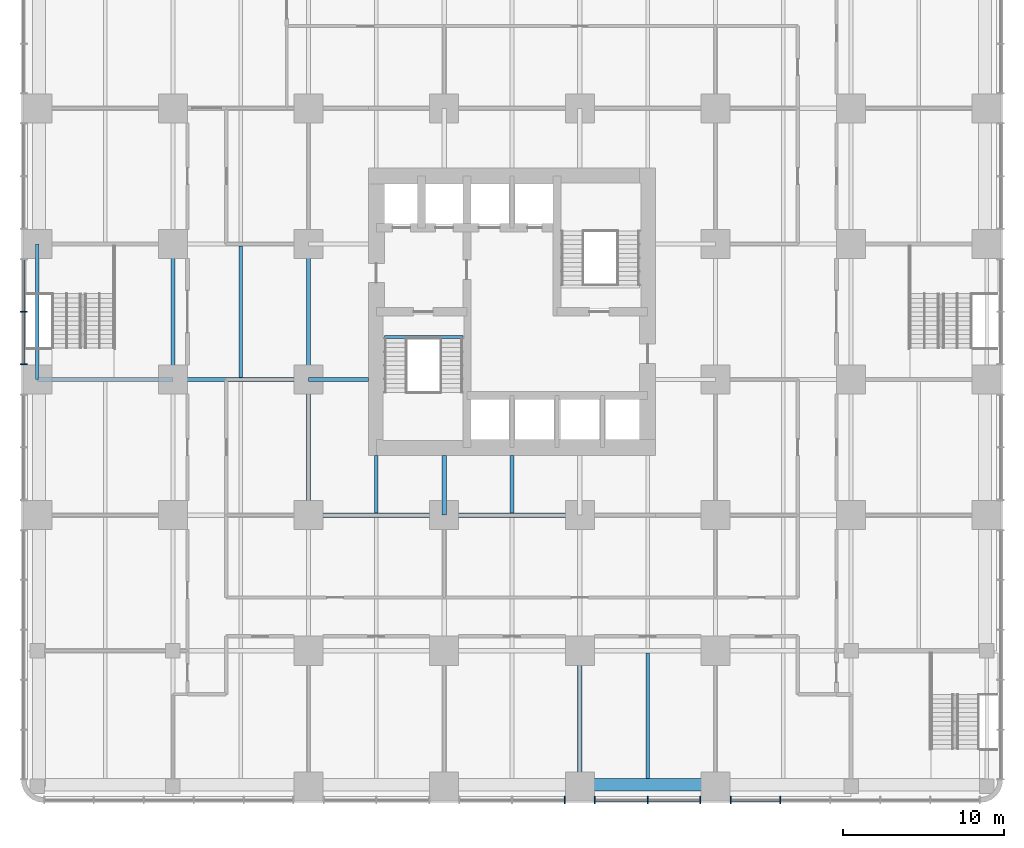
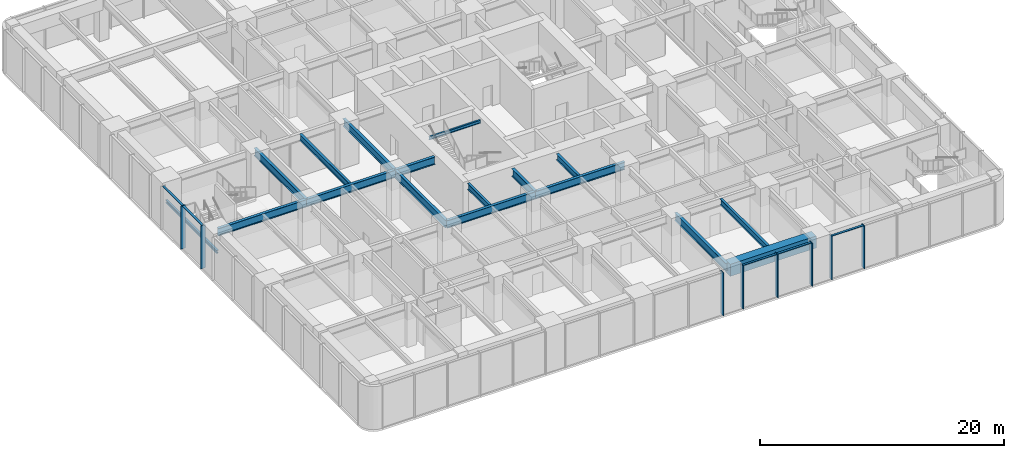
# One storey, part 3 of 17: 17 beams, 13 members, 2 elements without a shape of their own.
"""IFC4 building model written with IfcOpenShell, lengths in metres."""

from ifc_helpers import new_model, si_unit, direction, frame, origin, origin_2d, place, context, subcontext, project, spatial, rectangle, i_section, extrude, material, material_profile, profile_set, type_object, element, aggregate, save


model = new_model("IFC4")

# Units and contexts
model_context = context("Model", 3, precision=1e-05, world=origin(), true_north=direction((0.0, 1.0)))
body_context = subcontext(model_context, "Body", "Model", "MODEL_VIEW")
ifc_project = project(units=[si_unit("LENGTHUNIT", "METRE"), si_unit("AREAUNIT", "SQUARE_METRE"), si_unit("VOLUMEUNIT", "CUBIC_METRE"), si_unit("PLANEANGLEUNIT", "RADIAN"), si_unit("MASSUNIT", "GRAM", prefix="KILO")], contexts=[model_context])

# Site, building, storey
site_placement = place(None, origin())
site = spatial("IfcSite", under=ifc_project, at=site_placement, CompositionType="ELEMENT")
building_placement = place(site_placement, origin())
building = spatial("IfcBuilding", under=site, at=building_placement, Name="Torre Alcanfor", CompositionType="ELEMENT")
storey_placement = place(building_placement, frame((0.0, 0.0, 19.5)))
storey = spatial("IfcBuildingStorey", under=building, at=storey_placement, Name="L04", CompositionType="ELEMENT", Elevation=19.5)

# Curtain wall, members
ifc_material_1 = material(Name="Aluminium and glass", Category="aluminium")
curtain_wall_type = type_object("IfcCurtainWallType", Name="CW-B unitised classroom glazing with vertical FIN", PredefinedType="NOTDEFINED", material=ifc_material_1)
curtain_wall_1_placement = place(storey_placement, origin())
curtain_wall_1 = element("IfcCurtainWall", 1, at=curtain_wall_1_placement, inside=storey, type_object=curtain_wall_type, Name="Curtain wall CW-B L04 3", PredefinedType="NOTDEFINED")
ifc_material_2 = material(Name="Bronze anodised aluminium", Category="aluminium")
ifc_material_profile_1 = material_profile(ifc_material_2, rectangle(XDim=0.449951171875, YDim=0.06494140625, at=origin_2d()), Name="CW-B mullion 65x450")
ifc_profile_set_1 = profile_set([ifc_material_profile_1], Name="Bronze anodised aluminium")
member_type_1 = type_object("IfcMemberType", Name="CW-B mullion with vertical FIN 65x450", PredefinedType="MULLION", material=ifc_profile_set_1)
member_1_placement = place(storey_placement, frame((-0.85009765625, 29.39990234375, 0.0), z_axis=(0.0, 0.0, 1.0), x_axis=(1.0, 0.0, 0.0)))
member_1 = element("IfcMember", 2, at=member_1_placement, type_object=member_type_1, Name="CW-B mullion 3.2", PredefinedType="MULLION", context=body_context, shape_type="SweptSolid", body=[
    extrude(rectangle(XDim=0.449951171875, YDim=0.06494140625, at=origin_2d()), origin(), (0.0, 0.0, 1.0), 4.300048828125),
])
member_2_placement = place(storey_placement, frame((-0.85009765625, 26.137451171875, 0.0), z_axis=(0.0, 0.0, 1.0), x_axis=(1.0, 0.0, 0.0)))
member_2 = element("IfcMember", 3, at=member_2_placement, type_object=member_type_1, Name="CW-B mullion 3.3", PredefinedType="MULLION", context=body_context, shape_type="SweptSolid", body=[
    extrude(rectangle(XDim=0.449951171875, YDim=0.06494140625, at=origin_2d()), origin(), (0.0, 0.0, 1.0), 4.300048828125),
])

curtain_wall_2_placement = place(storey_placement, origin())
curtain_wall_2 = element("IfcCurtainWall", 4, at=curtain_wall_2_placement, inside=storey, type_object=curtain_wall_type, Name="Curtain wall CW-B L04 4", PredefinedType="NOTDEFINED")
member_3_placement = place(storey_placement, frame((32.66259765625, -0.85009765625, 0.0), z_axis=(0.0, 0.0, 1.0), x_axis=(0.0, 1.0, 0.0)))
member_3 = element("IfcMember", 5, at=member_3_placement, type_object=member_type_1, Name="CW-B mullion 3.3", PredefinedType="MULLION", context=body_context, shape_type="SweptSolid", body=[
    extrude(rectangle(XDim=0.449951171875, YDim=0.06494140625, at=origin_2d()), origin(), (0.0, 0.0, 1.0), 4.300048828125),
])
member_4_placement = place(storey_placement, frame((34.53759765625, -0.85009765625, 0.0), z_axis=(0.0, 0.0, 1.0), x_axis=(0.0, 1.0, 0.0)))
member_4 = element("IfcMember", 6, at=member_4_placement, type_object=member_type_1, Name="CW-B mullion 4.1", PredefinedType="MULLION", context=body_context, shape_type="SweptSolid", body=[
    extrude(rectangle(XDim=0.449951171875, YDim=0.06494140625, at=origin_2d()), origin(), (0.0, 0.0, 1.0), 4.300048828125),
])
member_5_placement = place(storey_placement, frame((37.800048828125, -0.85009765625, 0.0), z_axis=(0.0, 0.0, 1.0), x_axis=(0.0, 1.0, 0.0)))
member_5 = element("IfcMember", 7, at=member_5_placement, type_object=member_type_1, Name="CW-B mullion 4.2", PredefinedType="MULLION", context=body_context, shape_type="SweptSolid", body=[
    extrude(rectangle(XDim=0.449951171875, YDim=0.06494140625, at=origin_2d()), origin(), (0.0, 0.0, 1.0), 4.300048828125),
])
member_6_placement = place(storey_placement, frame((41.0625, -0.85009765625, 0.0), z_axis=(0.0, 0.0, 1.0), x_axis=(0.0, 1.0, 0.0)))
member_6 = element("IfcMember", 8, at=member_6_placement, type_object=member_type_1, Name="CW-B mullion 4.3", PredefinedType="MULLION", context=body_context, shape_type="SweptSolid", body=[
    extrude(rectangle(XDim=0.449951171875, YDim=0.06494140625, at=origin_2d()), origin(), (0.0, 0.0, 1.0), 4.300048828125),
])
member_7_placement = place(storey_placement, frame((42.9375, -0.85009765625, 0.0), z_axis=(0.0, 0.0, 1.0), x_axis=(0.0, 1.0, 0.0)))
member_7 = element("IfcMember", 9, at=member_7_placement, type_object=member_type_1, Name="CW-B mullion 5.1", PredefinedType="MULLION", context=body_context, shape_type="SweptSolid", body=[
    extrude(rectangle(XDim=0.449951171875, YDim=0.06494140625, at=origin_2d()), origin(), (0.0, 0.0, 1.0), 4.300048828125),
])
member_8_placement = place(storey_placement, frame((46.00390625, -0.85009765625, 0.0), z_axis=(0.0, 0.0, 1.0), x_axis=(0.0, 1.0, 0.0)))
member_8 = element("IfcMember", 10, at=member_8_placement, type_object=member_type_1, Name="CW-B mullion 5.2", PredefinedType="MULLION", context=body_context, shape_type="SweptSolid", body=[
    extrude(rectangle(XDim=0.449951171875, YDim=0.06494140625, at=origin_2d()), origin(), (0.0, 0.0, 1.0), 4.300048828125),
])

# Member
ifc_material_3 = material(Name="Extruded aluminium", Category="aluminium")
ifc_material_profile_2 = material_profile(ifc_material_3, rectangle(XDim=0.199951171875, YDim=0.06494140625, at=origin_2d()), Name="CW-B transom 200x65")
ifc_profile_set_2 = profile_set([ifc_material_profile_2], Name="Extruded aluminium")
member_type_2 = type_object("IfcMemberType", Name="CW-B transom 65x200", PredefinedType="USERDEFINED", material=ifc_profile_set_2)
member_9_placement = place(storey_placement, frame((-0.85009765625, 32.6298828125, 4.267578125), z_axis=(0.0, -1.0, 0.0), x_axis=(1.0, 0.0, 0.0)))
member_9 = element("IfcMember", 11, at=member_9_placement, type_object=member_type_2, Name="CW-B transom 3.1.2", ObjectType="TRANSOM", PredefinedType="USERDEFINED", context=body_context, shape_type="SweptSolid", body=[
    extrude(rectangle(XDim=0.199951171875, YDim=0.06494140625, at=origin_2d()), origin(), (0.0, 0.0, 1.0), 3.197265625),
])

member_10_placement = place(storey_placement, frame((-0.85009765625, 29.367431640625, 4.267578125), z_axis=(0.0, -1.0, 0.0), x_axis=(1.0, 0.0, 0.0)))
member_10 = element("IfcMember", 12, at=member_10_placement, type_object=member_type_2, Name="CW-B transom 3.2.2", ObjectType="TRANSOM", PredefinedType="USERDEFINED", context=body_context, shape_type="SweptSolid", body=[
    extrude(rectangle(XDim=0.199951171875, YDim=0.06494140625, at=origin_2d()), origin(), (0.0, 0.0, 1.0), 3.197509765625),
])

aggregate(curtain_wall_1, [member_1, member_2, member_9, member_10])

member_11_placement = place(storey_placement, frame((34.570068359375, -0.85009765625, 4.267578125), z_axis=(1.0, 0.0, 0.0), x_axis=(0.0, 1.0, 0.0)))
member_11 = element("IfcMember", 13, at=member_11_placement, type_object=member_type_2, Name="CW-B transom 4.1.2", ObjectType="TRANSOM", PredefinedType="USERDEFINED", context=body_context, shape_type="SweptSolid", body=[
    extrude(rectangle(XDim=0.199951171875, YDim=0.06494140625, at=origin_2d()), origin(), (0.0, 0.0, 1.0), 3.197509765625),
])

member_12_placement = place(storey_placement, frame((37.83251953125, -0.85009765625, 4.267578125), z_axis=(1.0, 0.0, 0.0), x_axis=(0.0, 1.0, 0.0)))
member_12 = element("IfcMember", 14, at=member_12_placement, type_object=member_type_2, Name="CW-B transom 4.2.2", ObjectType="TRANSOM", PredefinedType="USERDEFINED", context=body_context, shape_type="SweptSolid", body=[
    extrude(rectangle(XDim=0.199951171875, YDim=0.06494140625, at=origin_2d()), origin(), (0.0, 0.0, 1.0), 3.197509765625),
])

member_13_placement = place(storey_placement, frame((42.969970703125, -0.85009765625, 4.267578125), z_axis=(1.0, 0.0, 0.0), x_axis=(0.0, 1.0, 0.0)))
member_13 = element("IfcMember", 15, at=member_13_placement, type_object=member_type_2, Name="CW-B transom 5.1.2", ObjectType="TRANSOM", PredefinedType="USERDEFINED", context=body_context, shape_type="SweptSolid", body=[
    extrude(rectangle(XDim=0.199951171875, YDim=0.06494140625, at=origin_2d()), origin(), (0.0, 0.0, 1.0), 3.00146484375),
])

aggregate(curtain_wall_2, [member_3, member_4, member_5, member_6, member_11, member_12, member_7, member_8, member_13])

# Beams
ifc_material_4 = material(Name="Steel ASTM A992 Grade 50", Category="steel")
ifc_material_profile_3 = material_profile(ifc_material_4, i_section(OverallWidth=0.2666015625, OverallDepth=0.7568359375, WebThickness=0.013916015625, FlangeThickness=0.019287109375, at=origin_2d()), Name="W30x108")
ifc_profile_set_3 = profile_set([ifc_material_profile_3], Name="Steel ASTM A992 Grade 50")
beam_type_1 = type_object("IfcBeamType", Name="Girder W30x108", PredefinedType="BEAM", material=ifc_profile_set_3)
beam_1_placement = place(storey_placement, frame((16.800048828125, 16.800048828125, 3.921630859375), z_axis=(1.0, 0.0, 0.0), x_axis=(0.0, 1.0, 0.0)))
element("IfcBeam", 16, at=beam_1_placement, inside=storey, type_object=beam_type_1, Name="Beam 3E-4E under L05", PredefinedType="BEAM", context=body_context, shape_type="SweptSolid", body=[
    extrude(i_section(OverallWidth=0.2666015625, OverallDepth=0.7568359375, WebThickness=0.013916015625, FlangeThickness=0.019287109375, at=origin_2d()), origin(), (0.0, 0.0, 1.0), 8.39990234375),
])
beam_2_placement = place(storey_placement, frame((25.199951171875, 16.800048828125, 3.921630859375), z_axis=(1.0, 0.0, 0.0), x_axis=(0.0, 1.0, 0.0)))
element("IfcBeam", 17, at=beam_2_placement, inside=storey, type_object=beam_type_1, Name="Beam 4E-5E under L05", PredefinedType="BEAM", context=body_context, shape_type="SweptSolid", body=[
    extrude(i_section(OverallWidth=0.2666015625, OverallDepth=0.7568359375, WebThickness=0.013916015625, FlangeThickness=0.019287109375, at=origin_2d()), origin(), (0.0, 0.0, 1.0), 8.400146484375),
])
beam_3_placement = place(storey_placement, frame((0.0, 25.199951171875, 3.921630859375), z_axis=(1.0, 0.0, 0.0), x_axis=(0.0, 1.0, 0.0)))
element("IfcBeam", 18, at=beam_3_placement, inside=storey, type_object=beam_type_1, Name="Beam 1F-2F under L05", PredefinedType="BEAM", context=body_context, shape_type="SweptSolid", body=[
    extrude(i_section(OverallWidth=0.2666015625, OverallDepth=0.7568359375, WebThickness=0.013916015625, FlangeThickness=0.019287109375, at=origin_2d()), origin(), (0.0, 0.0, 1.0), 8.39990234375),
])
for number, where, z_axis, x_axis, name in (
    (19, (8.39990234375, 25.199951171875, 3.921630859375), (1.0, 0.0, 0.0), (0.0, 1.0, 0.0), "Beam 2F-3F under L05"),
    (20, (8.39990234375, 25.199951171875, 3.921630859375), (0.0, 1.0, 0.0), (-1.0, 0.0, 0.0), "Beam 2F-2G under L05"),
):
    element("IfcBeam", number, at=place(storey_placement, frame(where, z_axis=z_axis, x_axis=x_axis)), inside=storey, type_object=beam_type_1, Name=name, PredefinedType="BEAM", context=body_context, shape_type="SweptSolid", body=[
        extrude(i_section(OverallWidth=0.2666015625, OverallDepth=0.7568359375, WebThickness=0.013916015625, FlangeThickness=0.019287109375, at=origin_2d()), origin(), (0.0, 0.0, 1.0), 8.400146484375),
    ])
beam_4_placement = place(storey_placement, frame((16.800048828125, 16.800048828125, 3.921630859375), z_axis=(0.0, 1.0, 0.0), x_axis=(-1.0, 0.0, 0.0)))
element("IfcBeam", 21, at=beam_4_placement, inside=storey, type_object=beam_type_1, Name="Beam 3E-3F under L05", PredefinedType="BEAM", context=body_context, shape_type="SweptSolid", body=[
    extrude(i_section(OverallWidth=0.2666015625, OverallDepth=0.7568359375, WebThickness=0.013916015625, FlangeThickness=0.019287109375, at=origin_2d()), origin(), (0.0, 0.0, 1.0), 8.39990234375),
])
beam_5_placement = place(storey_placement, frame((16.800048828125, 25.199951171875, 3.921630859375), z_axis=(0.0, 1.0, 0.0), x_axis=(-1.0, 0.0, 0.0)))
element("IfcBeam", 22, at=beam_5_placement, inside=storey, type_object=beam_type_1, Name="Beam 3F-3G under L05", PredefinedType="BEAM", context=body_context, shape_type="SweptSolid", body=[
    extrude(i_section(OverallWidth=0.2666015625, OverallDepth=0.7568359375, WebThickness=0.013916015625, FlangeThickness=0.019287109375, at=origin_2d()), origin(), (0.0, 0.0, 1.0), 8.400146484375),
])
beam_6_placement = place(storey_placement, frame((33.60009765625, 0.0, 3.921630859375), z_axis=(0.0, 1.0, 0.0), x_axis=(-1.0, 0.0, 0.0)))
element("IfcBeam", 23, at=beam_6_placement, inside=storey, type_object=beam_type_1, Name="Beam 5C-5D under L05", PredefinedType="BEAM", context=body_context, shape_type="SweptSolid", body=[
    extrude(i_section(OverallWidth=0.2666015625, OverallDepth=0.7568359375, WebThickness=0.013916015625, FlangeThickness=0.019287109375, at=origin_2d()), origin(), (0.0, 0.0, 1.0), 8.39990234375),
])
ifc_material_5 = material(Name="Steel ASTM A992 Grade 50", Category="steel")
ifc_material_profile_4 = material_profile(ifc_material_5, i_section(OverallWidth=0.2666015625, OverallDepth=0.7568359375, WebThickness=0.013916015625, FlangeThickness=0.019287109375, at=origin_2d()), Name="W30x108")
ifc_profile_set_4 = profile_set([ifc_material_profile_4], Name="Steel ASTM A992 Grade 50")
beam_type_2 = type_object("IfcBeamType", Name="Girder, part bay W30x108", PredefinedType="BEAM", material=ifc_profile_set_4)
for number, where, z_axis, x_axis, name in (
    (24, (25.199951171875, 16.800048828125, 3.921630859375), (0.0, 1.0, 0.0), (-1.0, 0.0, 0.0), "Beam 4E-420_5 under L05"),
    (25, (16.800048828125, 25.199951171875, 3.921630859375), (1.0, 0.0, 0.0), (0.0, 1.0, 0.0), "Beam 3F-20_5F under L05"),
):
    element("IfcBeam", number, at=place(storey_placement, frame(where, z_axis=z_axis, x_axis=x_axis)), inside=storey, type_object=beam_type_2, Name=name, PredefinedType="BEAM", context=body_context, shape_type="SweptSolid", body=[
        extrude(i_section(OverallWidth=0.2666015625, OverallDepth=0.7568359375, WebThickness=0.013916015625, FlangeThickness=0.019287109375, at=origin_2d()), origin(), (0.0, 0.0, 1.0), 3.699951171875),
    ])
ifc_material_6 = material(Name="Concrete f'c 70 MPa", Category="concrete")
ifc_material_profile_5 = material_profile(ifc_material_6, rectangle(XDim=0.800048828125, YDim=1.199951171875, at=origin_2d()), Name="800x1200")
ifc_profile_set_5 = profile_set([ifc_material_profile_5], Name="Concrete f'c 70 MPa")
beam_type_3 = type_object("IfcBeamType", Name="RC perimeter beam 800x1200", PredefinedType="BEAM", material=ifc_profile_set_5)
beam_7_placement = place(storey_placement, frame((33.73291015625, 0.10009765625, 3.699951171875), z_axis=(1.0, 0.0, 0.0), x_axis=(0.0, 1.0, 0.0)))
element("IfcBeam", 26, at=beam_7_placement, inside=storey, type_object=beam_type_3, Name="Beam 5C-6C under L05", PredefinedType="BEAM", context=body_context, shape_type="SweptSolid", body=[
    extrude(rectangle(XDim=0.800048828125, YDim=1.199951171875, at=origin_2d()), origin(), (0.0, 0.0, 1.0), 8.134033203125),
])
ifc_material_7 = material(Name="Steel ASTM A992 Grade 50", Category="steel")
ifc_material_profile_6 = material_profile(ifc_material_7, i_section(OverallWidth=0.203369140625, OverallDepth=0.30224609375, WebThickness=0.007568359375, FlangeThickness=0.01318359375, at=origin_2d()), Name="W12x40")
ifc_profile_set_6 = profile_set([ifc_material_profile_6], Name="Steel ASTM A992 Grade 50")
beam_type_4 = type_object("IfcBeamType", Name="School stair landing beam W12x40", PredefinedType="BEAM", material=ifc_profile_set_6)
beam_8_placement = place(storey_placement, frame((0.0, 25.199951171875, 1.89892578125), z_axis=(0.0, 1.0, 0.0), x_axis=(-1.0, 0.0, 0.0)))
element("IfcBeam", 27, at=beam_8_placement, inside=storey, type_object=beam_type_4, Name="Landing beam SS1 L04", PredefinedType="BEAM", context=body_context, shape_type="SweptSolid", body=[
    extrude(i_section(OverallWidth=0.203369140625, OverallDepth=0.30224609375, WebThickness=0.007568359375, FlangeThickness=0.01318359375, at=origin_2d()), origin(), (0.0, 0.0, 1.0), 8.400146484375),
])
ifc_material_8 = material(Name="Steel ASTM A992 Grade 50", Category="steel")
ifc_material_profile_7 = material_profile(ifc_material_8, i_section(OverallWidth=0.22900390625, OverallDepth=0.612060546875, WebThickness=0.011962890625, FlangeThickness=0.01953125, at=origin_2d()), Name="W24x84")
ifc_profile_set_7 = profile_set([ifc_material_profile_7], Name="Steel ASTM A992 Grade 50")
beam_type_5 = type_object("IfcBeamType", Name="Secondary beam W24x84", PredefinedType="BEAM", material=ifc_profile_set_7)
beam_9_placement = place(storey_placement, frame((12.60009765625, 25.3330078125, 3.993896484375), z_axis=(0.0, 1.0, 0.0), x_axis=(-1.0, 0.0, 0.0)))
element("IfcBeam", 28, at=beam_9_placement, inside=storey, type_object=beam_type_5, Name="Beam 12_6F-12_6G under L05", PredefinedType="BEAM", context=body_context, shape_type="SweptSolid", body=[
    extrude(i_section(OverallWidth=0.22900390625, OverallDepth=0.612060546875, WebThickness=0.011962890625, FlangeThickness=0.01953125, at=origin_2d()), origin(), (0.0, 0.0, 1.0), 8.134033203125),
])
beam_10_placement = place(storey_placement, frame((37.800048828125, 0.5, 3.993896484375), z_axis=(0.0, 1.0, 0.0), x_axis=(-1.0, 0.0, 0.0)))
element("IfcBeam", 29, at=beam_10_placement, inside=storey, type_object=beam_type_5, Name="Beam 37_8C-37_8D under L05", PredefinedType="BEAM", context=body_context, shape_type="SweptSolid", body=[
    extrude(i_section(OverallWidth=0.22900390625, OverallDepth=0.612060546875, WebThickness=0.011962890625, FlangeThickness=0.01953125, at=origin_2d()), origin(), (0.0, 0.0, 1.0), 7.76708984375),
])
ifc_material_9 = material(Name="Steel ASTM A992 Grade 50", Category="steel")
ifc_material_profile_8 = material_profile(ifc_material_9, i_section(OverallWidth=0.22900390625, OverallDepth=0.612060546875, WebThickness=0.011962890625, FlangeThickness=0.01953125, at=origin_2d()), Name="W24x84")
ifc_profile_set_8 = profile_set([ifc_material_profile_8], Name="Steel ASTM A992 Grade 50")
beam_type_6 = type_object("IfcBeamType", Name="Secondary beam, part bay W24x84", PredefinedType="BEAM", material=ifc_profile_set_8)
for number, where, z_axis, x_axis, name in (
    (30, (21.0, 16.93310546875, 3.993896484375), (0.0, 1.0, 0.0), (-1.0, 0.0, 0.0), "Beam 21E-2120_5 under L05"),
    (31, (29.39990234375, 16.93310546875, 3.993896484375), (0.0, 1.0, 0.0), (-1.0, 0.0, 0.0), "Beam 29_4E-29_420_5 under L05"),
):
    element("IfcBeam", number, at=place(storey_placement, frame(where, z_axis=z_axis, x_axis=x_axis)), inside=storey, type_object=beam_type_6, Name=name, PredefinedType="BEAM", context=body_context, shape_type="SweptSolid", body=[
        extrude(i_section(OverallWidth=0.22900390625, OverallDepth=0.612060546875, WebThickness=0.011962890625, FlangeThickness=0.01953125, at=origin_2d()), origin(), (0.0, 0.0, 1.0), 3.56689453125),
    ])
ifc_material_10 = material(Name="Steel ASTM A992 Grade 50", Category="steel")
ifc_material_profile_9 = material_profile(ifc_material_10, i_section(OverallWidth=0.164794921875, OverallDepth=0.309814453125, WebThickness=0.005859375, FlangeThickness=0.009765625, at=origin_2d()), Name="W12x26")
ifc_profile_set_9 = profile_set([ifc_material_profile_9], Name="Steel ASTM A992 Grade 50")
beam_type_7 = type_object("IfcBeamType", Name="Stair landing beam W12x26", PredefinedType="BEAM", material=ifc_profile_set_9)
beam_11_placement = place(storey_placement, frame((21.5, 27.83740234375, 4.14501953125), z_axis=(1.0, 0.0, 0.0), x_axis=(0.0, 1.0, 0.0)))
element("IfcBeam", 32, at=beam_11_placement, inside=storey, type_object=beam_type_7, Name="Landing trimmer S1 L05", PredefinedType="BEAM", context=body_context, shape_type="SweptSolid", body=[
    extrude(i_section(OverallWidth=0.164794921875, OverallDepth=0.309814453125, WebThickness=0.005859375, FlangeThickness=0.009765625, at=origin_2d()), origin(), (0.0, 0.0, 1.0), 4.85009765625),
])

save(model, "model.ifc")
